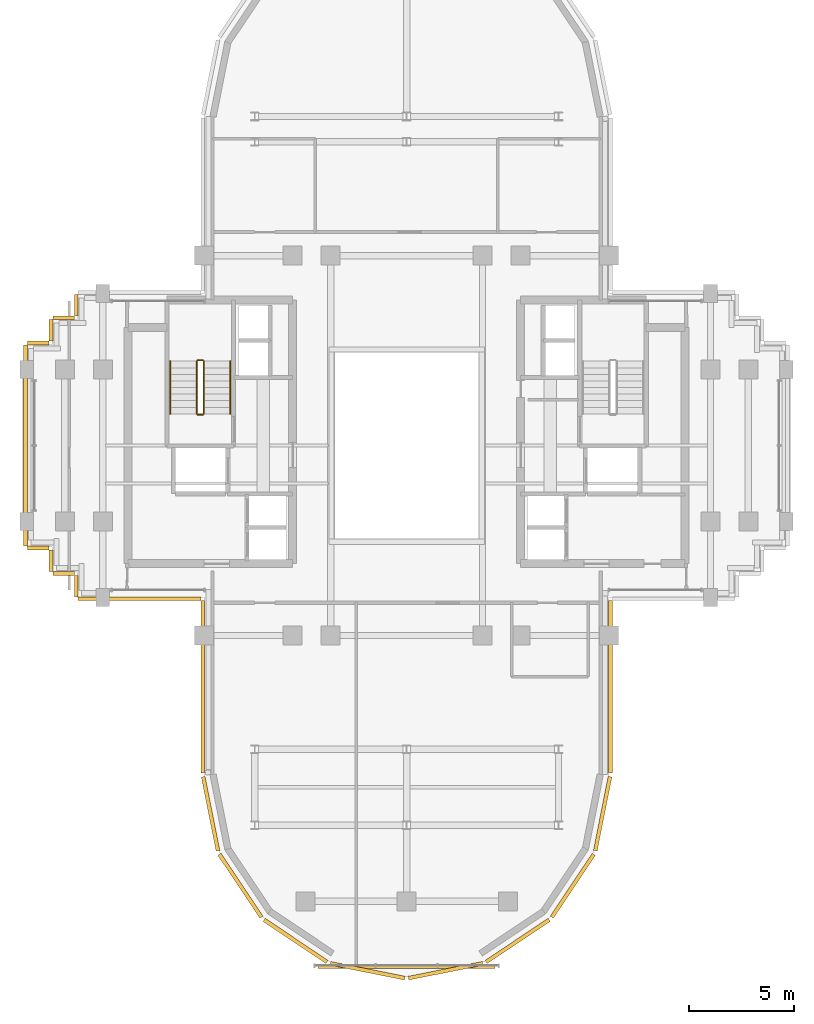
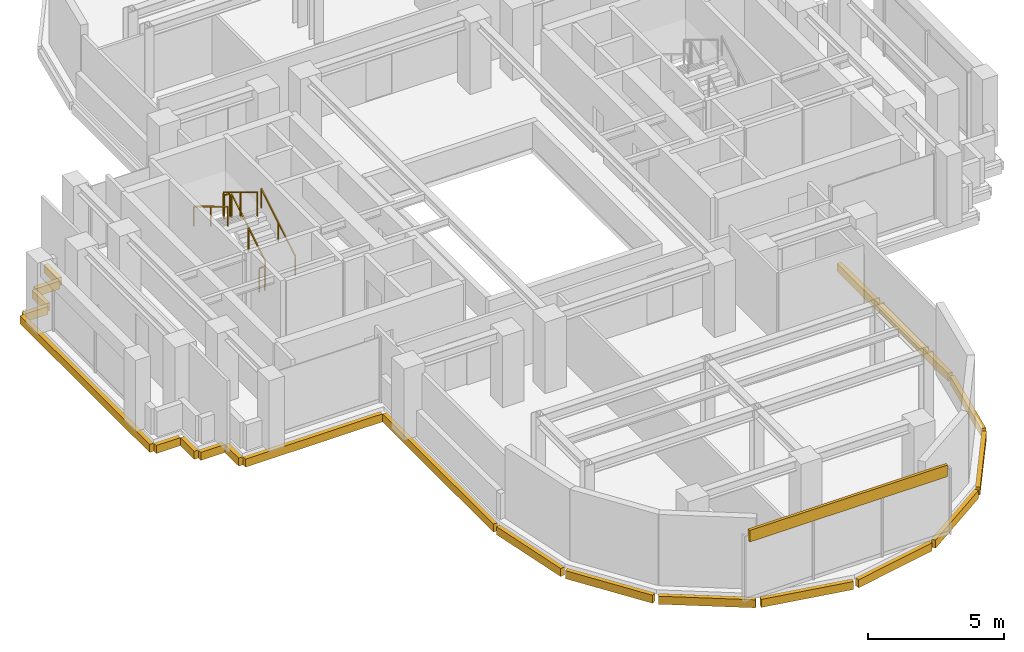
# One storey, part 9 of 11: 21 coverings, 6 railings.
"""IFC4 building model written with IfcOpenShell, lengths in metres."""

import ifcopenshell
import ifcopenshell.guid

model = None  # the IFC model being written
_history = None  # IfcOwnerHistory: only IFC2X3 demands one
_inside = {}  # id of a spatial element -> (the spatial element, [elements in it])
_under = {}  # id of a project, library or spatial element -> (it, [spatial elements below it])
_declared = {}  # id of a project -> (the project, [libraries it declares])
_typed = {}  # id of a type object -> (the type object, [elements of that type])
_made_of = {}  # id of a material, layer set ... -> (it, [elements and type objects made of it])


def new_model(schema):
    """Start an empty IFC model of exactly this schema.

    Asked for "IFC4X3", IfcOpenShell would pick the latest addendum, in which some entities
    have other attributes; the version numbers below select the first issue.
    IFC2X3 requires an IfcOwnerHistory on every rooted entity: one is made here for all.
    """
    global model, _history
    if schema == "IFC4X3":
        model = ifcopenshell.file(schema_version=(4, 3, 0, 0))
    else:
        model = ifcopenshell.file(schema=schema)
    _inside.clear()
    _under.clear()
    _declared.clear()
    _typed.clear()
    _made_of.clear()
    _history = None
    if model.schema == "IFC2X3":
        org = make("IfcOrganization", Name="unknown")
        user = make(
            "IfcPersonAndOrganization",
            ThePerson=make("IfcPerson", FamilyName="unknown"),
            TheOrganization=org,
        )
        app = make(
            "IfcApplication",
            ApplicationDeveloper=org,
            Version="unknown",
            ApplicationFullName="unknown",
            ApplicationIdentifier="unknown",
        )
        _history = make(
            "IfcOwnerHistory",
            OwningUser=user,
            OwningApplication=app,
            ChangeAction="ADDED",
            CreationDate=0,
        )
    return model


def make(cls, **values):
    """One entity of the class cls with the attributes given. An attribute that is None is left unset."""
    return model.create_entity(
        cls, **{name: value for name, value in values.items() if value is not None}
    )


def rooted(cls, **values):
    """An entity with a GlobalId (a new one), such as an element, a storey or a relation."""
    return make(cls, GlobalId=ifcopenshell.guid.new(), OwnerHistory=_history, **values)


def si_unit(unit_type, name, prefix=None):
    """IfcSIUnit, for example si_unit("LENGTHUNIT", "METRE", prefix="MILLI")."""
    return make("IfcSIUnit", UnitType=unit_type, Prefix=prefix, Name=name)


def assignment(units):
    """IfcUnitAssignment: the units of a project."""
    return None if units is None else make("IfcUnitAssignment", Units=units)


def point(xyz):
    """IfcCartesianPoint."""
    return None if xyz is None else make("IfcCartesianPoint", Coordinates=xyz)


def direction(xyz):
    """IfcDirection."""
    return None if xyz is None else make("IfcDirection", DirectionRatios=xyz)


def frame(location, z_axis=None, x_axis=None):
    """IfcAxis2Placement3D, a coordinate frame: its origin and axes. An axis left out is left unset."""
    return make(
        "IfcAxis2Placement3D",
        Location=point(location),
        Axis=direction(z_axis),
        RefDirection=direction(x_axis),
    )


def frame_2d(location, x_axis=None):
    """IfcAxis2Placement2D, a coordinate frame in the plane: its origin and x axis."""
    return make(
        "IfcAxis2Placement2D", Location=point(location), RefDirection=direction(x_axis)
    )


def origin():
    """The frame at (0, 0, 0) with its axes left unset."""
    return frame((0.0, 0.0, 0.0))


def origin_2d():
    """The frame at (0, 0) in the plane with its x axis left unset."""
    return frame_2d((0.0, 0.0))


def place(relative_to, where):
    """IfcLocalPlacement: puts the frame where relative to a parent placement (None: the world)."""
    return make(
        "IfcLocalPlacement", PlacementRelTo=relative_to, RelativePlacement=where
    )


def context(
    kind, dimensions, precision=None, world=None, true_north=None, identifier=None
):
    """IfcGeometricRepresentationContext, for example the 3D "Model" context."""
    return make(
        "IfcGeometricRepresentationContext",
        ContextIdentifier=identifier,
        ContextType=kind,
        CoordinateSpaceDimension=dimensions,
        Precision=precision,
        WorldCoordinateSystem=world,
        TrueNorth=true_north,
    )


def subcontext(parent, identifier, kind, view, scale=None):
    """IfcGeometricRepresentationSubContext, for example "Body" below "Model"."""
    return make(
        "IfcGeometricRepresentationSubContext",
        ContextIdentifier=identifier,
        ContextType=kind,
        ParentContext=parent,
        TargetScale=scale,
        TargetView=view,
    )


def project(units=None, contexts=None):
    """IfcProject with its units and contexts."""
    return rooted(
        "IfcProject",
        Name="project",
        RepresentationContexts=contexts,
        UnitsInContext=assignment(units),
    )


def spatial(cls, under=None, at=None, **own):
    """A site, building, storey or space (cls), placed at a placement, below another one or the project."""
    s = rooted(cls, ObjectPlacement=at, **own)
    if under is not None:
        _under.setdefault(under.id(), (under, []))[1].append(s)
    return s


def profile(cls, at=None, kind="AREA", **sizes):
    """A parametric profile (cls). Its sizes go by their IFC names, for example OverallWidth=200.0."""
    return make(cls, ProfileType=kind, Position=at, **sizes)


def rectangle(**sizes):
    """IfcRectangleProfileDef."""
    return profile("IfcRectangleProfileDef", **sizes)


def extrude(swept, where, along, depth):
    """IfcExtrudedAreaSolid: the profile swept, set in the frame where, extruded along a direction by depth."""
    return make(
        "IfcExtrudedAreaSolid",
        SweptArea=swept,
        Position=where,
        ExtrudedDirection=direction(along),
        Depth=depth,
    )


def shape(context_of_items, identifier, shape_type, items):
    """IfcShapeRepresentation: the items that make up one representation, for example the "Body"."""
    return make(
        "IfcShapeRepresentation",
        ContextOfItems=context_of_items,
        RepresentationIdentifier=identifier,
        RepresentationType=shape_type,
        Items=items,
    )


def source(mapping_origin, context_of_items, identifier, shape_type, items):
    """IfcRepresentationMap: a shape defined once, which mapped items show again and again."""
    return make(
        "IfcRepresentationMap",
        MappingOrigin=mapping_origin,
        MappedRepresentation=shape(context_of_items, identifier, shape_type, items),
    )


def transform(
    local_origin,
    x_axis=None,
    y_axis=None,
    z_axis=None,
    scale=None,
    scale2=None,
    scale3=None,
    uniform=True,
):
    """IfcCartesianTransformationOperator3D, or its non-uniform kind. x_axis, y_axis, z_axis: its Axis1, 2, 3."""
    if uniform:
        return make(
            "IfcCartesianTransformationOperator3D",
            Axis1=direction(x_axis),
            Axis2=direction(y_axis),
            LocalOrigin=point(local_origin),
            Scale=scale,
            Axis3=direction(z_axis),
        )
    return make(
        "IfcCartesianTransformationOperator3DnonUniform",
        Axis1=direction(x_axis),
        Axis2=direction(y_axis),
        LocalOrigin=point(local_origin),
        Scale=scale,
        Axis3=direction(z_axis),
        Scale2=scale2,
        Scale3=scale3,
    )


def mapped(mapping_source, mapping_target):
    """IfcMappedItem: shows the shape of a source again, moved by a transform."""
    return make(
        "IfcMappedItem", MappingSource=mapping_source, MappingTarget=mapping_target
    )


def material(Name=None, Category=None):
    """IfcMaterial."""
    return make("IfcMaterial", Name=Name, Category=Category)


def layer(
    of_material, thickness, ventilated=None, Name=None, Category=None, Priority=None
):
    """IfcMaterialLayer: one layer of a wall or slab, of a material (None: an air gap)."""
    return make(
        "IfcMaterialLayer",
        Material=of_material,
        LayerThickness=thickness,
        IsVentilated=ventilated,
        Name=Name,
        Category=Category,
        Priority=Priority,
    )


def layer_set(layers, Name=None):
    """IfcMaterialLayerSet."""
    return make("IfcMaterialLayerSet", MaterialLayers=layers, LayerSetName=Name)


def made_of(thing, what):
    """Note that an element or type object is made of a material, layer set ...; save() writes the relation."""
    if what is not None:
        _made_of.setdefault(what.id(), (what, []))[1].append(thing)
    return thing


def type_object(cls, material=None, **own):
    """A type object (cls), such as IfcWallType, which elements share."""
    return made_of(rooted(cls, **own), material)


def element(
    cls,
    number,
    at=None,
    inside=None,
    cuts=None,
    type_object=None,
    material=None,
    context=None,
    identifier="Body",
    shape_type=None,
    held_by="IfcProductDefinitionShape",
    body=None,
    shapes=None,
    **own,
):
    """One element of the class cls, such as IfcWall. Its Tag is "e" and its number.

    at: its placement. inside: the storey or other place that contains it. cuts: it is an
    opening in that element (IfcRelVoidsElement). A single representation is given by context,
    identifier, shape_type and body (its items); several are given by shapes. held_by: the class
    of the entity that holds the representations. save() writes the other relations.
    """
    e = rooted(cls, Tag="e%d" % number, ObjectPlacement=at, **own)
    if body is not None:
        shapes = [shape(context, identifier, shape_type, body)]
    if shapes is not None:
        e.Representation = make(held_by, Representations=shapes)
    if inside is not None:
        _inside.setdefault(inside.id(), (inside, []))[1].append(e)
    if cuts is not None:
        rooted(
            "IfcRelVoidsElement", RelatingBuildingElement=cuts, RelatedOpeningElement=e
        )
    if type_object is not None:
        _typed.setdefault(type_object.id(), (type_object, []))[1].append(e)
    return made_of(e, material)


def aggregate(whole, parts):
    """IfcRelAggregates: a whole, such as a stair, and the parts it consists of."""
    return rooted("IfcRelAggregates", RelatingObject=whole, RelatedObjects=parts)


def save(model, path):
    """Write the relations noted so far, then the file.

    IfcRelAggregates (storeys below a building ...), IfcRelContainedInSpatialStructure (elements
    in a storey), IfcRelDefinesByType, IfcRelAssociatesMaterial and IfcRelDeclares: one each for
    every whole, place, type object, material and project.
    """
    for whole, parts in _under.values():
        aggregate(whole, parts)
    for where, things in _inside.values():
        rooted(
            "IfcRelContainedInSpatialStructure",
            RelatedElements=things,
            RelatingStructure=where,
        )
    for kind, things in _typed.values():
        rooted("IfcRelDefinesByType", RelatedObjects=things, RelatingType=kind)
    for what, things in _made_of.values():
        rooted("IfcRelAssociatesMaterial", RelatedObjects=things, RelatingMaterial=what)
    for by, libraries in _declared.values():
        rooted("IfcRelDeclares", RelatingContext=by, RelatedDefinitions=libraries)
    model.write(path)


model = new_model("IFC4")

# Units and contexts
model_context = context("Model", 3, precision=1e-05, world=origin(), true_north=direction((0.0, 1.0)))
body_context = subcontext(model_context, "Body", "Model", "MODEL_VIEW")
ifc_project = project(units=[si_unit("LENGTHUNIT", "METRE"), si_unit("AREAUNIT", "SQUARE_METRE"), si_unit("VOLUMEUNIT", "CUBIC_METRE"), si_unit("PLANEANGLEUNIT", "RADIAN"), si_unit("MASSUNIT", "GRAM", prefix="KILO")], contexts=[model_context])

# Site, building, storey
site_placement = place(None, origin())
site = spatial("IfcSite", under=ifc_project, at=site_placement, CompositionType="ELEMENT")
building_placement = place(site_placement, origin())
building = spatial("IfcBuilding", under=site, at=building_placement, Name="Keilestroom Media Tower", CompositionType="ELEMENT")
storey_placement = place(building_placement, frame((0.0, 0.0, 174.0)))
storey = spatial("IfcBuildingStorey", under=building, at=storey_placement, Name="L47", CompositionType="ELEMENT", Elevation=174.0)

# Railings
ifc_material_1 = material(Name="Brushed Stainless Steel 1.4301", Category="steel")
railing_type_1 = type_object("IfcRailingType", Name="Stair-Pitch-Handrail-920", PredefinedType="HANDRAIL", material=ifc_material_1)
railing_1_placement = place(storey_placement, frame((-8.35009765625, 1.5, 0.18896484375)))
element("IfcRailing", 1, at=railing_1_placement, inside=storey, type_object=railing_type_1, Name="L47 ST-1 stair handrail 1", PredefinedType="HANDRAIL", context=body_context, shape_type="SweptSolid", body=[
    extrude(rectangle(XDim=0.048095703125, YDim=0.048095703125, at=origin_2d()), frame((0.0, 0.0, 0.8759765625), z_axis=(0.0, 0.855470815493, 0.517851024754), x_axis=(-1.0, 0.0, 0.0)), (0.0, 0.0, 1.0), 2.917724609375),
    extrude(rectangle(XDim=0.0419921875, YDim=0.0419921875, at=origin_2d()), origin(), (0.0, 0.0, 1.0), 0.84375),
    extrude(rectangle(XDim=0.0419921875, YDim=0.0419921875, at=origin_2d()), frame((0.0, 1.248046875, 0.75537109375)), (0.0, 0.0, 1.0), 0.84375),
    extrude(rectangle(XDim=0.0419921875, YDim=0.0419921875, at=origin_2d()), frame((0.0, 2.49609375, 1.510986328125)), (0.0, 0.0, 1.0), 0.84375),
])
railing_2_placement = place(storey_placement, frame((-11.2099609375, 3.99609375, 1.888916015625)))
element("IfcRailing", 2, at=railing_2_placement, inside=storey, type_object=railing_type_1, Name="L47 ST-1 stair handrail 2", PredefinedType="HANDRAIL", context=body_context, shape_type="SweptSolid", body=[
    extrude(rectangle(XDim=0.048095703125, YDim=0.048095703125, at=origin_2d()), frame((0.0, 0.0, 0.8759765625), z_axis=(0.0, -0.855470815493, 0.517851024754), x_axis=(1.0, 0.0, 0.0)), (0.0, 0.0, 1.0), 2.917724609375),
    extrude(rectangle(XDim=0.0419921875, YDim=0.0419921875, at=origin_2d()), origin(), (0.0, 0.0, 1.0), 0.84375),
    extrude(rectangle(XDim=0.0419921875, YDim=0.0419921875, at=origin_2d()), frame((0.0, -1.248046875, 0.75537109375)), (0.0, 0.0, 1.0), 0.84375),
    extrude(rectangle(XDim=0.0419921875, YDim=0.0419921875, at=origin_2d()), frame((0.0, -2.49609375, 1.510986328125)), (0.0, 0.0, 1.0), 0.84375),
])
ifc_material_2 = material(Name="Painted Steel Balustrade", Category="steel")
railing_type_2 = type_object("IfcRailingType", Name="Stair-Well-And-Landing-Guard-1100", PredefinedType="GUARDRAIL", material=ifc_material_2)
railing_3_placement = place(storey_placement, frame((-9.610107421875, 1.5, 0.18896484375)))
element("IfcRailing", 3, at=railing_3_placement, inside=storey, type_object=railing_type_2, Name="L47 ST-1 stair guard 1", PredefinedType="GUARDRAIL", context=body_context, shape_type="SweptSolid", body=[
    extrude(rectangle(XDim=0.048095703125, YDim=0.048095703125, at=origin_2d()), frame((0.0, 0.0, 1.076171875), z_axis=(0.0, 0.855470815493, 0.517851024754), x_axis=(-1.0, 0.0, 0.0)), (0.0, 0.0, 1.0), 2.917724609375),
    extrude(rectangle(XDim=0.0419921875, YDim=0.0419921875, at=origin_2d()), origin(), (0.0, 0.0, 1.0), 1.0439453125),
    extrude(rectangle(XDim=0.0419921875, YDim=0.0419921875, at=origin_2d()), frame((0.0, 1.248046875, 0.75537109375)), (0.0, 0.0, 1.0), 1.0439453125),
    extrude(rectangle(XDim=0.0419921875, YDim=0.0419921875, at=origin_2d()), frame((0.0, 2.49609375, 1.510986328125)), (0.0, 0.0, 1.0), 1.0439453125),
])
railing_4_placement = place(storey_placement, frame((-9.659912109375, 4.0458984375, 1.699951171875)))
element("IfcRailing", 4, at=railing_4_placement, inside=storey, type_object=railing_type_2, Name="L47 ST-1 stair guard 2", PredefinedType="GUARDRAIL", context=body_context, shape_type="SweptSolid", body=[
    extrude(rectangle(XDim=0.048095703125, YDim=0.048095703125, at=origin_2d()), frame((0.0, 0.0, 1.076171875), z_axis=(-1.0, 0.0, 0.0), x_axis=(0.0, -1.0, 0.0)), (0.0, 0.0, 1.0), 0.239990234375),
    extrude(rectangle(XDim=0.0419921875, YDim=0.0419921875, at=origin_2d()), origin(), (0.0, 0.0, 1.0), 1.0439453125),
    extrude(rectangle(XDim=0.0419921875, YDim=0.0419921875, at=origin_2d()), frame((-0.239990234375, 0.0, 0.0)), (0.0, 0.0, 1.0), 1.0439453125),
])
railing_5_placement = place(storey_placement, frame((-9.949951171875, 3.99609375, 1.888916015625)))
element("IfcRailing", 5, at=railing_5_placement, inside=storey, type_object=railing_type_2, Name="L47 ST-1 stair guard 3", PredefinedType="GUARDRAIL", context=body_context, shape_type="SweptSolid", body=[
    extrude(rectangle(XDim=0.048095703125, YDim=0.048095703125, at=origin_2d()), frame((0.0, 0.0, 1.076171875), z_axis=(0.0, -0.855470815493, 0.517851024754), x_axis=(1.0, 0.0, 0.0)), (0.0, 0.0, 1.0), 2.917724609375),
    extrude(rectangle(XDim=0.0419921875, YDim=0.0419921875, at=origin_2d()), origin(), (0.0, 0.0, 1.0), 1.0439453125),
    extrude(rectangle(XDim=0.0419921875, YDim=0.0419921875, at=origin_2d()), frame((0.0, -1.248046875, 0.75537109375)), (0.0, 0.0, 1.0), 1.0439453125),
    extrude(rectangle(XDim=0.0419921875, YDim=0.0419921875, at=origin_2d()), frame((0.0, -2.49609375, 1.510986328125)), (0.0, 0.0, 1.0), 1.0439453125),
])
railing_6_placement = place(storey_placement, frame((-9.659912109375, 1.449951171875, 0.0)))
element("IfcRailing", 6, at=railing_6_placement, inside=storey, type_object=railing_type_2, Name="L47 ST-1 stair guard 4", PredefinedType="GUARDRAIL", context=body_context, shape_type="SweptSolid", body=[
    extrude(rectangle(XDim=0.048095703125, YDim=0.048095703125, at=origin_2d()), frame((0.0, 0.0, 1.076171875), z_axis=(-1.0, 0.0, 0.0), x_axis=(0.0, -1.0, 0.0)), (0.0, 0.0, 1.0), 0.239990234375),
    extrude(rectangle(XDim=0.0419921875, YDim=0.0419921875, at=origin_2d()), origin(), (0.0, 0.0, 1.0), 1.0439453125),
    extrude(rectangle(XDim=0.0419921875, YDim=0.0419921875, at=origin_2d()), frame((-0.239990234375, 0.0, 0.0)), (0.0, 0.0, 1.0), 1.0439453125),
])

# Coverings
ifc_material_3 = material(Name="Precast concrete C40/50", Category="concrete")
ifc_layer = layer(ifc_material_3, 0.1201171875)
ifc_layer_set = layer_set([ifc_layer], Name="Precast concrete C40/50")
covering_type = type_object("IfcCoveringType", Name="Exterior-Precast-Spandrel-Cladding-Panel-120", PredefinedType="CLADDING", material=ifc_layer_set)
shared_shape_1 = source(origin(), body_context, "Body", "SweptSolid", [
    extrude(rectangle(XDim=8.39990234375, YDim=0.1201171875, at=origin_2d()), origin(), (0.0, 0.0, 1.0), 0.52001953125),
])
covering_1_placement = place(storey_placement, frame((0.0, -24.719970703125, 2.68994140625), z_axis=(0.0, 0.0, 1.0), x_axis=(1.0, 0.0, 0.0)))
element("IfcCovering", 7, at=covering_1_placement, inside=storey, type_object=covering_type, Name="L47 Precast Spandrel Cladding S", PredefinedType="CLADDING", context=body_context, shape_type="MappedRepresentation", body=[
    mapped(shared_shape_1, transform((0.0, 0.0, 0.0), x_axis=(1.0, 0.0, 0.0), y_axis=(0.0, 1.0, 0.0), z_axis=(0.0, 0.0, 1.0), scale=1.0)),
])
shared_shape_2 = source(origin(), body_context, "Body", "SweptSolid", [
    extrude(rectangle(XDim=1.02001953125, YDim=0.179931640625, at=origin_2d()), origin(), (0.0, 0.0, 1.0), 0.360107421875),
])
for number, where, z_axis, x_axis, name in (
    (8, (-15.659912109375, -6.659912109375, -0.5400390625), (0.0, 0.0, 1.0), (0.0, 1.0, 0.0), "L47 Precast Slab-Edge Fascia Cornice 17"),
    (9, (-16.260009765625, -6.06005859375, -0.5400390625), (0.0, 0.0, 1.0), (-1.0, 0.0, 0.0), "L47 Precast Slab-Edge Fascia Cornice 18"),
    (10, (-16.860107421875, -5.4599609375, -0.5400390625), (0.0, 0.0, 1.0), (0.0, 1.0, 0.0), "L47 Precast Slab-Edge Fascia Cornice 19"),
    (11, (-17.4599609375, -4.860107421875, -0.5400390625), (0.0, 0.0, 1.0), (-1.0, 0.0, 0.0), "L47 Precast Slab-Edge Fascia Cornice 20"),
    (12, (-17.4599609375, 4.860107421875, -0.5400390625), (0.0, 0.0, 1.0), (1.0, 0.0, 0.0), "L47 Precast Slab-Edge Fascia Cornice 22"),
    (13, (-16.860107421875, 5.4599609375, -0.5400390625), (0.0, 0.0, 1.0), (0.0, 1.0, 0.0), "L47 Precast Slab-Edge Fascia Cornice 23"),
    (14, (-16.260009765625, 6.06005859375, -0.5400390625), (0.0, 0.0, 1.0), (1.0, 0.0, 0.0), "L47 Precast Slab-Edge Fascia Cornice 24"),
    (15, (-15.659912109375, 6.659912109375, -0.5400390625), (0.0, 0.0, 1.0), (0.0, 1.0, 0.0), "L47 Precast Slab-Edge Fascia Cornice 25"),
):
    element("IfcCovering", number, at=place(storey_placement, frame(where, z_axis=z_axis, x_axis=x_axis)), inside=storey, type_object=covering_type, Name=name, PredefinedType="CLADDING", context=body_context, shape_type="MappedRepresentation", body=[
        mapped(shared_shape_2, transform((0.0, 0.0, 0.0), x_axis=(1.0, 0.0, 0.0), y_axis=(0.0, 1.0, 0.0), z_axis=(0.0, 0.0, 1.0), scale=1.0)),
    ])
shared_shape_3 = source(origin(), body_context, "Body", "SweptSolid", [
    extrude(rectangle(XDim=8.166015625, YDim=0.179931640625, at=origin_2d()), origin(), (0.0, 0.0, 1.0), 0.360107421875),
])
for number, where, z_axis, x_axis, name in (
    (16, (9.659912109375, -11.43310546875, -0.5400390625), (0.0, 0.0, 1.0), (0.0, -1.0, 0.0), "L47 Precast Slab-Edge Fascia Cornice 06"),
    (17, (-9.659912109375, -11.43310546875, -0.5400390625), (0.0, 0.0, 1.0), (0.0, 1.0, 0.0), "L47 Precast Slab-Edge Fascia Cornice 15"),
):
    element("IfcCovering", number, at=place(storey_placement, frame(where, z_axis=z_axis, x_axis=x_axis)), inside=storey, type_object=covering_type, Name=name, PredefinedType="CLADDING", context=body_context, shape_type="MappedRepresentation", body=[
        mapped(shared_shape_3, transform((0.0, 0.0, 0.0), x_axis=(1.0, 0.0, 0.0), y_axis=(0.0, 1.0, 0.0), z_axis=(0.0, 0.0, 1.0), scale=1.0)),
    ])
shared_shape_4 = source(origin(), body_context, "Body", "SweptSolid", [
    extrude(rectangle(XDim=3.58349609375, YDim=0.179931640625, at=origin_2d()), origin(), (0.0, 0.0, 1.0), 0.360107421875),
])
for number, where, z_axis, x_axis, name in (
    (18, (9.29296875, -17.45166015625, -0.5400390625), (0.0, 0.0, 1.0), (-0.195098880975, -0.980783577882, 0.0), "L47 Precast Slab-Edge Fascia Cornice 07"),
    (19, (-9.29296875, -17.45166015625, -0.5400390625), (0.0, 0.0, 1.0), (-0.195098880975, 0.980783577882, 0.0), "L47 Precast Slab-Edge Fascia Cornice 14"),
):
    element("IfcCovering", number, at=place(storey_placement, frame(where, z_axis=z_axis, x_axis=x_axis)), inside=storey, type_object=covering_type, Name=name, PredefinedType="CLADDING", context=body_context, shape_type="MappedRepresentation", body=[
        mapped(shared_shape_4, transform((0.0, 0.0, 0.0), x_axis=(1.0, 0.0, 0.0), y_axis=(0.0, 1.0, 0.0), z_axis=(0.0, 0.0, 1.0), scale=1.0)),
    ])
shared_shape_5 = source(origin(), body_context, "Body", "SweptSolid", [
    extrude(rectangle(XDim=3.589599609375, YDim=0.179931640625, at=origin_2d()), origin(), (0.0, 0.0, 1.0), 0.360107421875),
])
for number, where, z_axis, x_axis, name in (
    (20, (7.878662109375, -20.8642578125, -0.5400390625), (0.0, 0.0, 1.0), (-0.555574586577, -0.831466703332, 0.0), "L47 Precast Slab-Edge Fascia Cornice 08"),
    (21, (5.264404296875, -23.478515625, -0.5400390625), (0.0, 0.0, 1.0), (-0.831466703332, -0.555574586577, 0.0), "L47 Precast Slab-Edge Fascia Cornice 09"),
    (22, (1.8486328125, -24.893310546875, -0.5400390625), (0.0, 0.0, 1.0), (-0.980783577882, -0.195098880975, 0.0), "L47 Precast Slab-Edge Fascia Cornice 10"),
    (23, (-1.8486328125, -24.893310546875, -0.5400390625), (0.0, 0.0, 1.0), (-0.980783577882, 0.195098880975, 0.0), "L47 Precast Slab-Edge Fascia Cornice 11"),
    (24, (-5.264404296875, -23.478515625, -0.5400390625), (0.0, 0.0, 1.0), (-0.831466703332, 0.555574586577, 0.0), "L47 Precast Slab-Edge Fascia Cornice 12"),
    (25, (-7.878662109375, -20.8642578125, -0.5400390625), (0.0, 0.0, 1.0), (-0.555574586577, 0.831466703332, 0.0), "L47 Precast Slab-Edge Fascia Cornice 13"),
):
    element("IfcCovering", number, at=place(storey_placement, frame(where, z_axis=z_axis, x_axis=x_axis)), inside=storey, type_object=covering_type, Name=name, PredefinedType="CLADDING", context=body_context, shape_type="MappedRepresentation", body=[
        mapped(shared_shape_5, transform((0.0, 0.0, 0.0), x_axis=(1.0, 0.0, 0.0), y_axis=(0.0, 1.0, 0.0), z_axis=(0.0, 0.0, 1.0), scale=1.0)),
    ])
shared_shape_6 = source(origin(), body_context, "Body", "SweptSolid", [
    extrude(rectangle(XDim=9.5400390625, YDim=0.179931640625, at=origin_2d()), origin(), (0.0, 0.0, 1.0), 0.360107421875),
])
covering_2_placement = place(storey_placement, frame((-18.06005859375, 0.0, -0.5400390625), z_axis=(0.0, 0.0, 1.0), x_axis=(0.0, 1.0, 0.0)))
element("IfcCovering", 26, at=covering_2_placement, inside=storey, type_object=covering_type, Name="L47 Precast Slab-Edge Fascia Cornice 21", PredefinedType="CLADDING", context=body_context, shape_type="MappedRepresentation", body=[
    mapped(shared_shape_6, transform((0.0, 0.0, 0.0), x_axis=(1.0, 0.0, 0.0), y_axis=(0.0, 1.0, 0.0), z_axis=(0.0, 0.0, 1.0), scale=1.0)),
])
shared_shape_7 = source(origin(), body_context, "Body", "SweptSolid", [
    extrude(rectangle(XDim=5.820068359375, YDim=0.179931640625, at=origin_2d()), origin(), (0.0, 0.0, 1.0), 0.360107421875),
])
covering_3_placement = place(storey_placement, frame((-12.659912109375, -7.260009765625, -0.5400390625), z_axis=(0.0, 0.0, 1.0), x_axis=(-1.0, 0.0, 0.0)))
element("IfcCovering", 27, at=covering_3_placement, inside=storey, type_object=covering_type, Name="L47 Precast Slab-Edge Fascia Cornice 16", PredefinedType="CLADDING", context=body_context, shape_type="MappedRepresentation", body=[
    mapped(shared_shape_7, transform((0.0, 0.0, 0.0), x_axis=(1.0, 0.0, 0.0), y_axis=(0.0, 1.0, 0.0), z_axis=(0.0, 0.0, 1.0), scale=1.0)),
])

save(model, "model.ifc")
